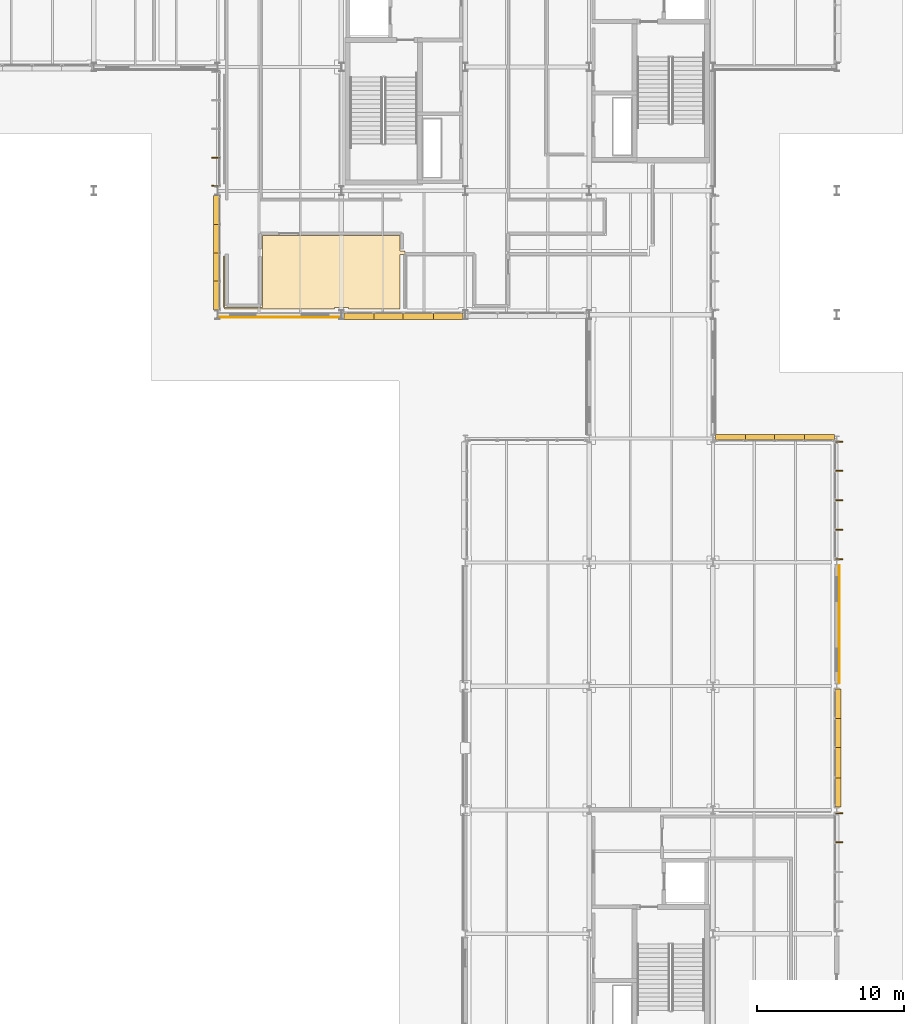
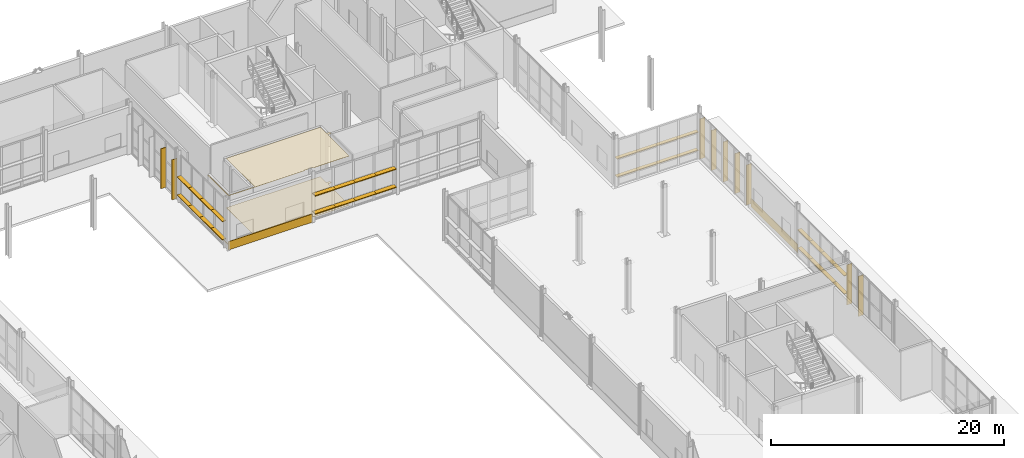
# One storey, part 119 of 124: 41 shading devices, 4 coverings.
"""IFC4 building model written with IfcOpenShell, lengths in metres."""

from ifc_helpers import new_model, si_unit, direction, frame, origin, origin_2d, place, context, subcontext, project, spatial, polyline, rectangle, outline, extrude, material, layer, layer_set, type_object, element, save


model = new_model("IFC4")

# Units and contexts
model_context = context("Model", 3, precision=1e-05, world=origin(), true_north=direction((0.0, 1.0)))
body_context = subcontext(model_context, "Body", "Model", "MODEL_VIEW")
ifc_project = project(units=[si_unit("LENGTHUNIT", "METRE"), si_unit("AREAUNIT", "SQUARE_METRE"), si_unit("VOLUMEUNIT", "CUBIC_METRE"), si_unit("PLANEANGLEUNIT", "RADIAN"), si_unit("MASSUNIT", "GRAM", prefix="KILO")], contexts=[model_context])

# Site, building, storey
site_placement = place(None, origin())
site = spatial("IfcSite", under=ifc_project, at=site_placement, CompositionType="ELEMENT")
building_placement = place(site_placement, origin())
building = spatial("IfcBuilding", under=site, at=building_placement, Name="Mersafa Astral City Hall", CompositionType="ELEMENT")
storey_placement = place(building_placement, origin())
storey = spatial("IfcBuildingStorey", under=building, at=storey_placement, Name="L00", CompositionType="ELEMENT", Elevation=0.0)

# Coverings
ifc_material_1 = material(Name="Cairo Mokattam buff limestone cladding", Category="masonry")
ifc_layer_1 = layer(ifc_material_1, 0.06005859375, Name="Cairo Mokattam buff limestone cladding")
ifc_layer_set_1 = layer_set([ifc_layer_1], Name="Cairo Mokattam buff limestone cladding — ENV-COV-LIMESTONE-60")
covering_type_1 = type_object("IfcCoveringType", Name="ENV-COV-LIMESTONE-60", PredefinedType="CLADDING", material=ifc_layer_set_1)
covering_1_placement = place(storey_placement, frame((147.0, 100.630615234375, 0.0), z_axis=(0.0, 0.0, 1.0), x_axis=(1.0, 0.0, 0.0)))
element("IfcCovering", 1, at=covering_1_placement, inside=storey, type_object=covering_type_1, Name="L00 Cairo buff limestone rainscreen cladding 21", PredefinedType="CLADDING", context=body_context, shape_type="SweptSolid", body=[
    extrude(rectangle(XDim=8.323974609375, YDim=0.06005859375, at=origin_2d()), origin(), (0.0, 0.0, 1.0), 0.860107421875),
])
covering_2_placement = place(storey_placement, frame((184.95458984375, 79.794921875, 0.0), z_axis=(0.0, 0.0, 1.0), x_axis=(0.0, 1.0, 0.0)))
element("IfcCovering", 2, at=covering_2_placement, inside=storey, type_object=covering_type_1, Name="L00 Cairo buff limestone rainscreen cladding 28", PredefinedType="CLADDING", context=body_context, shape_type="SweptSolid", body=[
    extrude(rectangle(XDim=7.998046875, YDim=0.06005859375, at=origin_2d()), origin(), (0.0, 0.0, 1.0), 0.860107421875),
])

# Shading devices
ifc_material_2 = material(Name="Anodised bronze aluminium solar fin", Category="aluminium")
shading_device_type_1 = type_object("IfcShadingDeviceType", Name="ENV-SHD-FIN-500B", PredefinedType="USERDEFINED", material=ifc_material_2)
for number, where, z_axis, x_axis, name in (
    (3, (142.655029296875, 111.4560546875, -0.01513671875), (0.0, 0.0, 1.0), (0.0, -1.0, 0.0), "L00 Vertical bronze solar fin 104"),
    (4, (142.655029296875, 109.5419921875, -0.01513671875), (0.0, 0.0, 1.0), (0.0, -1.0, 0.0), "L00 Vertical bronze solar fin 105"),
    (5, (184.945068359375, 65.00146484375, -0.01513671875), (0.0, 0.0, 1.0), (0.0, 1.0, 0.0), "L00 Vertical bronze solar fin 170"),
    (6, (184.945068359375, 66.97802734375, -0.01513671875), (0.0, 0.0, 1.0), (0.0, 1.0, 0.0), "L00 Vertical bronze solar fin 171"),
    (7, (184.945068359375, 84.221923828125, -0.01513671875), (0.0, 0.0, 1.0), (0.0, 1.0, 0.0), "L00 Vertical bronze solar fin 180"),
    (8, (184.945068359375, 86.198486328125, -0.01513671875), (0.0, 0.0, 1.0), (0.0, 1.0, 0.0), "L00 Vertical bronze solar fin 181"),
    (9, (184.945068359375, 88.205078125, -0.01513671875), (0.0, 0.0, 1.0), (0.0, 1.0, 0.0), "L00 Vertical bronze solar fin 182"),
    (10, (184.945068359375, 90.21142578125, -0.01513671875), (0.0, 0.0, 1.0), (0.0, 1.0, 0.0), "L00 Vertical bronze solar fin 183"),
    (11, (184.945068359375, 92.18798828125, -0.01513671875), (0.0, 0.0, 1.0), (0.0, 1.0, 0.0), "L00 Vertical bronze solar fin 184"),
):
    element("IfcShadingDevice", number, at=place(storey_placement, frame(where, z_axis=z_axis, x_axis=x_axis)), inside=storey, type_object=shading_device_type_1, Name=name, ObjectType="FIN", PredefinedType="USERDEFINED", context=body_context, shape_type="SweptSolid", body=[
        extrude(rectangle(XDim=0.06005859375, YDim=0.5, at=origin_2d()), origin(), (0.0, 0.0, 1.0), 4.199951171875),
    ])
ifc_material_3 = material(Name="Kiln-dried cedar timber brise-soleil blade", Category="wood")
shading_device_type_2 = type_object("IfcShadingDeviceType", Name="ENV-SHD-LOUVRE-380", PredefinedType="JALOUSIE", material=ifc_material_3)
shading_device_1_placement = place(storey_placement, frame((142.719970703125, 107.90087890625, 0.81494140625), z_axis=(0.0, 0.0, 1.0), x_axis=(0.0, -1.0, 0.0)))
element("IfcShadingDevice", 12, at=shading_device_1_placement, inside=storey, type_object=shading_device_type_2, Name="L00 Horizontal cedar brise-soleil louvre 106", PredefinedType="JALOUSIE", context=body_context, shape_type="SweptSolid", body=[
    extrude(rectangle(XDim=1.9541015625, YDim=0.3798828125, at=origin_2d()), origin(), (0.0, 0.0, 1.0), 0.070068359375),
])
for number, where, z_axis, x_axis, name in (
    (13, (142.719970703125, 105.971923828125, 0.81494140625), (0.0, 0.0, 1.0), (0.0, -1.0, 0.0), "L00 Horizontal cedar brise-soleil louvre 107"),
    (14, (142.719970703125, 104.028076171875, 0.81494140625), (0.0, 0.0, 1.0), (0.0, -1.0, 0.0), "L00 Horizontal cedar brise-soleil louvre 108"),
):
    element("IfcShadingDevice", number, at=place(storey_placement, frame(where, z_axis=z_axis, x_axis=x_axis)), inside=storey, type_object=shading_device_type_2, Name=name, PredefinedType="JALOUSIE", context=body_context, shape_type="SweptSolid", body=[
        extrude(rectangle(XDim=1.98388671875, YDim=0.3798828125, at=origin_2d()), origin(), (0.0, 0.0, 1.0), 0.070068359375),
    ])
for number, where, z_axis, x_axis, name in (
    (15, (142.719970703125, 102.09912109375, 0.81494140625), (0.0, 0.0, 1.0), (0.0, -1.0, 0.0), "L00 Horizontal cedar brise-soleil louvre 109"),
    (16, (142.719970703125, 107.90087890625, 2.71484375), (0.0, 0.0, 1.0), (0.0, -1.0, 0.0), "L00 Horizontal cedar brise-soleil louvre 110"),
):
    element("IfcShadingDevice", number, at=place(storey_placement, frame(where, z_axis=z_axis, x_axis=x_axis)), inside=storey, type_object=shading_device_type_2, Name=name, PredefinedType="JALOUSIE", context=body_context, shape_type="SweptSolid", body=[
        extrude(rectangle(XDim=1.9541015625, YDim=0.3798828125, at=origin_2d()), origin(), (0.0, 0.0, 1.0), 0.070068359375),
    ])
for number, where, z_axis, x_axis, name in (
    (17, (142.719970703125, 105.971923828125, 2.71484375), (0.0, 0.0, 1.0), (0.0, -1.0, 0.0), "L00 Horizontal cedar brise-soleil louvre 111"),
    (18, (142.719970703125, 104.028076171875, 2.71484375), (0.0, 0.0, 1.0), (0.0, -1.0, 0.0), "L00 Horizontal cedar brise-soleil louvre 112"),
):
    element("IfcShadingDevice", number, at=place(storey_placement, frame(where, z_axis=z_axis, x_axis=x_axis)), inside=storey, type_object=shading_device_type_2, Name=name, PredefinedType="JALOUSIE", context=body_context, shape_type="SweptSolid", body=[
        extrude(rectangle(XDim=1.98388671875, YDim=0.3798828125, at=origin_2d()), origin(), (0.0, 0.0, 1.0), 0.070068359375),
    ])
shading_device_2_placement = place(storey_placement, frame((142.719970703125, 102.09912109375, 2.71484375), z_axis=(0.0, 0.0, 1.0), x_axis=(0.0, -1.0, 0.0)))
element("IfcShadingDevice", 19, at=shading_device_2_placement, inside=storey, type_object=shading_device_type_2, Name="L00 Horizontal cedar brise-soleil louvre 113", PredefinedType="JALOUSIE", context=body_context, shape_type="SweptSolid", body=[
    extrude(rectangle(XDim=1.9541015625, YDim=0.3798828125, at=origin_2d()), origin(), (0.0, 0.0, 1.0), 0.070068359375),
])
shading_device_3_placement = place(storey_placement, frame((184.8798828125, 68.41015625, 0.81494140625), z_axis=(0.0, 0.0, 1.0), x_axis=(0.0, 1.0, 0.0)))
element("IfcShadingDevice", 20, at=shading_device_3_placement, inside=storey, type_object=shading_device_type_2, Name="L00 Horizontal cedar brise-soleil louvre 172", PredefinedType="JALOUSIE", context=body_context, shape_type="SweptSolid", body=[
    extrude(rectangle(XDim=2.0166015625, YDim=0.3798828125, at=origin_2d()), origin(), (0.0, 0.0, 1.0), 0.070068359375),
])
for number, where, z_axis, x_axis, name in (
    (21, (184.8798828125, 70.401611328125, 0.81494140625), (0.0, 0.0, 1.0), (0.0, 1.0, 0.0), "L00 Horizontal cedar brise-soleil louvre 173"),
    (22, (184.8798828125, 72.408203125, 0.81494140625), (0.0, 0.0, 1.0), (0.0, 1.0, 0.0), "L00 Horizontal cedar brise-soleil louvre 174"),
):
    element("IfcShadingDevice", number, at=place(storey_placement, frame(where, z_axis=z_axis, x_axis=x_axis)), inside=storey, type_object=shading_device_type_2, Name=name, PredefinedType="JALOUSIE", context=body_context, shape_type="SweptSolid", body=[
        extrude(rectangle(XDim=2.04638671875, YDim=0.3798828125, at=origin_2d()), origin(), (0.0, 0.0, 1.0), 0.070068359375),
    ])
for number, where, z_axis, x_axis, name in (
    (23, (184.8798828125, 74.39990234375, 0.81494140625), (0.0, 0.0, 1.0), (0.0, 1.0, 0.0), "L00 Horizontal cedar brise-soleil louvre 175"),
    (24, (184.8798828125, 68.41015625, 2.71484375), (0.0, 0.0, 1.0), (0.0, 1.0, 0.0), "L00 Horizontal cedar brise-soleil louvre 176"),
):
    element("IfcShadingDevice", number, at=place(storey_placement, frame(where, z_axis=z_axis, x_axis=x_axis)), inside=storey, type_object=shading_device_type_2, Name=name, PredefinedType="JALOUSIE", context=body_context, shape_type="SweptSolid", body=[
        extrude(rectangle(XDim=2.0166015625, YDim=0.3798828125, at=origin_2d()), origin(), (0.0, 0.0, 1.0), 0.070068359375),
    ])
for number, where, z_axis, x_axis, name in (
    (25, (184.8798828125, 70.401611328125, 2.71484375), (0.0, 0.0, 1.0), (0.0, 1.0, 0.0), "L00 Horizontal cedar brise-soleil louvre 177"),
    (26, (184.8798828125, 72.408203125, 2.71484375), (0.0, 0.0, 1.0), (0.0, 1.0, 0.0), "L00 Horizontal cedar brise-soleil louvre 178"),
):
    element("IfcShadingDevice", number, at=place(storey_placement, frame(where, z_axis=z_axis, x_axis=x_axis)), inside=storey, type_object=shading_device_type_2, Name=name, PredefinedType="JALOUSIE", context=body_context, shape_type="SweptSolid", body=[
        extrude(rectangle(XDim=2.04638671875, YDim=0.3798828125, at=origin_2d()), origin(), (0.0, 0.0, 1.0), 0.070068359375),
    ])
shading_device_4_placement = place(storey_placement, frame((184.8798828125, 74.39990234375, 2.71484375), z_axis=(0.0, 0.0, 1.0), x_axis=(0.0, 1.0, 0.0)))
element("IfcShadingDevice", 27, at=shading_device_4_placement, inside=storey, type_object=shading_device_type_2, Name="L00 Horizontal cedar brise-soleil louvre 179", PredefinedType="JALOUSIE", context=body_context, shape_type="SweptSolid", body=[
    extrude(rectangle(XDim=2.0166015625, YDim=0.3798828125, at=origin_2d()), origin(), (0.0, 0.0, 1.0), 0.070068359375),
])
shading_device_5_placement = place(storey_placement, frame((183.613525390625, 92.47998046875, 0.81494140625), z_axis=(0.0, 0.0, 1.0), x_axis=(-1.0, 0.0, 0.0)))
element("IfcShadingDevice", 28, at=shading_device_5_placement, inside=storey, type_object=shading_device_type_2, Name="L00 Horizontal cedar brise-soleil louvre 185", PredefinedType="JALOUSIE", context=body_context, shape_type="SweptSolid", body=[
    extrude(rectangle(XDim=2.029052734375, YDim=0.3798828125, at=origin_2d()), origin(), (0.0, 0.0, 1.0), 0.070068359375),
])
for number, where, z_axis, x_axis, name in (
    (29, (181.609619140625, 92.47998046875, 0.81494140625), (0.0, 0.0, 1.0), (-1.0, 0.0, 0.0), "L00 Horizontal cedar brise-soleil louvre 186"),
    (30, (179.590576171875, 92.47998046875, 0.81494140625), (0.0, 0.0, 1.0), (-1.0, 0.0, 0.0), "L00 Horizontal cedar brise-soleil louvre 187"),
):
    element("IfcShadingDevice", number, at=place(storey_placement, frame(where, z_axis=z_axis, x_axis=x_axis)), inside=storey, type_object=shading_device_type_2, Name=name, PredefinedType="JALOUSIE", context=body_context, shape_type="SweptSolid", body=[
        extrude(rectangle(XDim=2.05908203125, YDim=0.3798828125, at=origin_2d()), origin(), (0.0, 0.0, 1.0), 0.070068359375),
    ])
for number, where, z_axis, x_axis, name in (
    (31, (177.58642578125, 92.47998046875, 0.81494140625), (0.0, 0.0, 1.0), (-1.0, 0.0, 0.0), "L00 Horizontal cedar brise-soleil louvre 188"),
    (32, (183.613525390625, 92.47998046875, 2.71484375), (0.0, 0.0, 1.0), (-1.0, 0.0, 0.0), "L00 Horizontal cedar brise-soleil louvre 189"),
):
    element("IfcShadingDevice", number, at=place(storey_placement, frame(where, z_axis=z_axis, x_axis=x_axis)), inside=storey, type_object=shading_device_type_2, Name=name, PredefinedType="JALOUSIE", context=body_context, shape_type="SweptSolid", body=[
        extrude(rectangle(XDim=2.029052734375, YDim=0.3798828125, at=origin_2d()), origin(), (0.0, 0.0, 1.0), 0.070068359375),
    ])
for number, where, z_axis, x_axis, name in (
    (33, (181.609619140625, 92.47998046875, 2.71484375), (0.0, 0.0, 1.0), (-1.0, 0.0, 0.0), "L00 Horizontal cedar brise-soleil louvre 190"),
    (34, (179.590576171875, 92.47998046875, 2.71484375), (0.0, 0.0, 1.0), (-1.0, 0.0, 0.0), "L00 Horizontal cedar brise-soleil louvre 191"),
):
    element("IfcShadingDevice", number, at=place(storey_placement, frame(where, z_axis=z_axis, x_axis=x_axis)), inside=storey, type_object=shading_device_type_2, Name=name, PredefinedType="JALOUSIE", context=body_context, shape_type="SweptSolid", body=[
        extrude(rectangle(XDim=2.05908203125, YDim=0.3798828125, at=origin_2d()), origin(), (0.0, 0.0, 1.0), 0.070068359375),
    ])
shading_device_6_placement = place(storey_placement, frame((177.58642578125, 92.47998046875, 2.71484375), z_axis=(0.0, 0.0, 1.0), x_axis=(-1.0, 0.0, 0.0)))
element("IfcShadingDevice", 35, at=shading_device_6_placement, inside=storey, type_object=shading_device_type_2, Name="L00 Horizontal cedar brise-soleil louvre 192", PredefinedType="JALOUSIE", context=body_context, shape_type="SweptSolid", body=[
    extrude(rectangle(XDim=2.029052734375, YDim=0.3798828125, at=origin_2d()), origin(), (0.0, 0.0, 1.0), 0.070068359375),
])
shading_device_type_3 = type_object("IfcShadingDeviceType", Name="ENV-SHD-LOUVRE-450", PredefinedType="JALOUSIE", material=ifc_material_3)
shading_device_7_placement = place(storey_placement, frame((152.386474609375, 100.68505859375, 0.81005859375), z_axis=(0.0, 0.0, 1.0), x_axis=(1.0, 0.0, 0.0)))
element("IfcShadingDevice", 36, at=shading_device_7_placement, inside=storey, type_object=shading_device_type_3, Name="L00 Horizontal cedar brise-soleil louvre 114", PredefinedType="JALOUSIE", context=body_context, shape_type="SweptSolid", body=[
    extrude(rectangle(XDim=2.029052734375, YDim=0.449951171875, at=origin_2d()), origin(), (0.0, 0.0, 1.0), 0.080078125),
])
for number, where, z_axis, x_axis, name in (
    (37, (154.390380859375, 100.68505859375, 0.81005859375), (0.0, 0.0, 1.0), (1.0, 0.0, 0.0), "L00 Horizontal cedar brise-soleil louvre 115"),
    (38, (156.409423828125, 100.68505859375, 0.81005859375), (0.0, 0.0, 1.0), (1.0, 0.0, 0.0), "L00 Horizontal cedar brise-soleil louvre 116"),
):
    element("IfcShadingDevice", number, at=place(storey_placement, frame(where, z_axis=z_axis, x_axis=x_axis)), inside=storey, type_object=shading_device_type_3, Name=name, PredefinedType="JALOUSIE", context=body_context, shape_type="SweptSolid", body=[
        extrude(rectangle(XDim=2.05908203125, YDim=0.449951171875, at=origin_2d()), origin(), (0.0, 0.0, 1.0), 0.080078125),
    ])
for number, where, z_axis, x_axis, name in (
    (39, (158.41357421875, 100.68505859375, 0.81005859375), (0.0, 0.0, 1.0), (1.0, 0.0, 0.0), "L00 Horizontal cedar brise-soleil louvre 117"),
    (40, (152.386474609375, 100.68505859375, 2.7099609375), (0.0, 0.0, 1.0), (1.0, 0.0, 0.0), "L00 Horizontal cedar brise-soleil louvre 118"),
):
    element("IfcShadingDevice", number, at=place(storey_placement, frame(where, z_axis=z_axis, x_axis=x_axis)), inside=storey, type_object=shading_device_type_3, Name=name, PredefinedType="JALOUSIE", context=body_context, shape_type="SweptSolid", body=[
        extrude(rectangle(XDim=2.029052734375, YDim=0.449951171875, at=origin_2d()), origin(), (0.0, 0.0, 1.0), 0.080078125),
    ])
for number, where, z_axis, x_axis, name in (
    (41, (154.390380859375, 100.68505859375, 2.7099609375), (0.0, 0.0, 1.0), (1.0, 0.0, 0.0), "L00 Horizontal cedar brise-soleil louvre 119"),
    (42, (156.409423828125, 100.68505859375, 2.7099609375), (0.0, 0.0, 1.0), (1.0, 0.0, 0.0), "L00 Horizontal cedar brise-soleil louvre 120"),
):
    element("IfcShadingDevice", number, at=place(storey_placement, frame(where, z_axis=z_axis, x_axis=x_axis)), inside=storey, type_object=shading_device_type_3, Name=name, PredefinedType="JALOUSIE", context=body_context, shape_type="SweptSolid", body=[
        extrude(rectangle(XDim=2.05908203125, YDim=0.449951171875, at=origin_2d()), origin(), (0.0, 0.0, 1.0), 0.080078125),
    ])
shading_device_8_placement = place(storey_placement, frame((158.41357421875, 100.68505859375, 2.7099609375), z_axis=(0.0, 0.0, 1.0), x_axis=(1.0, 0.0, 0.0)))
element("IfcShadingDevice", 43, at=shading_device_8_placement, inside=storey, type_object=shading_device_type_3, Name="L00 Horizontal cedar brise-soleil louvre 121", PredefinedType="JALOUSIE", context=body_context, shape_type="SweptSolid", body=[
    extrude(rectangle(XDim=2.029052734375, YDim=0.449951171875, at=origin_2d()), origin(), (0.0, 0.0, 1.0), 0.080078125),
])

# Coverings
ifc_material_4 = material(Name="Perforated acoustic gypsum board ceiling", Category="gypsum")
ifc_layer_2 = layer(ifc_material_4, 0.02490234375, Name="Perforated acoustic gypsum board ceiling")
ifc_layer_set_2 = layer_set([ifc_layer_2], Name="Perforated acoustic gypsum board ceiling — INT-COV-CEIL-25")
covering_type_2 = type_object("IfcCoveringType", Name="INT-COV-CEIL-25", PredefinedType="CEILING", material=ifc_layer_set_2)
covering_3_placement = place(storey_placement, frame((0.0, 0.0, 5.156005859375)))
element("IfcCovering", 44, at=covering_3_placement, inside=storey, type_object=covering_type_2, Name="L00 Public Cafe L00-25 acoustic ceiling", PredefinedType="CEILING", context=body_context, shape_type="SweptSolid", body=[
    extrude(outline(polyline([(143.27001953125, 101.27001953125), (143.199951171875, 101.27001953125), (143.199951171875, 104.77001953125), (143.280029296875, 104.77001953125), (143.280029296875, 101.280029296875), (145.840087890625, 101.280029296875), (145.840087890625, 106.159912109375), (155.169921875, 106.159912109375), (155.169921875, 105.1201171875), (155.52001953125, 105.1201171875), (155.52001953125, 104.8798828125), (155.169921875, 104.8798828125), (155.169921875, 101.199951171875), (151.669921875, 101.199951171875), (151.669921875, 101.27001953125), (150.72998046875, 101.27001953125), (150.72998046875, 101.199951171875), (143.27001953125, 101.199951171875), (143.27001953125, 101.27001953125)])), origin(), (0.0, 0.0, 1.0), 0.02490234375),
])
ifc_material_5 = material(Name="Honed Cairo limestone terrazzo flooring", Category="masonry")
ifc_layer_3 = layer(ifc_material_5, 0.02001953125, Name="Honed Cairo limestone terrazzo flooring")
ifc_layer_set_3 = layer_set([ifc_layer_3], Name="Honed Cairo limestone terrazzo flooring — INT-COV-FLR-20")
covering_type_3 = type_object("IfcCoveringType", Name="INT-COV-FLR-20", PredefinedType="FLOORING", material=ifc_layer_set_3)
covering_4_placement = place(storey_placement, frame((0.0, 0.0, -0.00146484375)))
element("IfcCovering", 45, at=covering_4_placement, inside=storey, type_object=covering_type_3, Name="L00 Public Cafe L00-25 architectural flooring", PredefinedType="FLOORING", context=body_context, shape_type="SweptSolid", body=[
    extrude(outline(polyline([(143.27001953125, 101.27001953125), (143.199951171875, 101.27001953125), (143.199951171875, 104.77001953125), (143.280029296875, 104.77001953125), (143.280029296875, 101.280029296875), (145.840087890625, 101.280029296875), (145.840087890625, 106.159912109375), (155.169921875, 106.159912109375), (155.169921875, 105.1201171875), (155.52001953125, 105.1201171875), (155.52001953125, 104.8798828125), (155.169921875, 104.8798828125), (155.169921875, 101.199951171875), (151.669921875, 101.199951171875), (151.669921875, 101.27001953125), (150.72998046875, 101.27001953125), (150.72998046875, 101.199951171875), (143.27001953125, 101.199951171875), (143.27001953125, 101.27001953125)])), origin(), (0.0, 0.0, 1.0), 0.02001953125),
])

save(model, "model.ifc")
